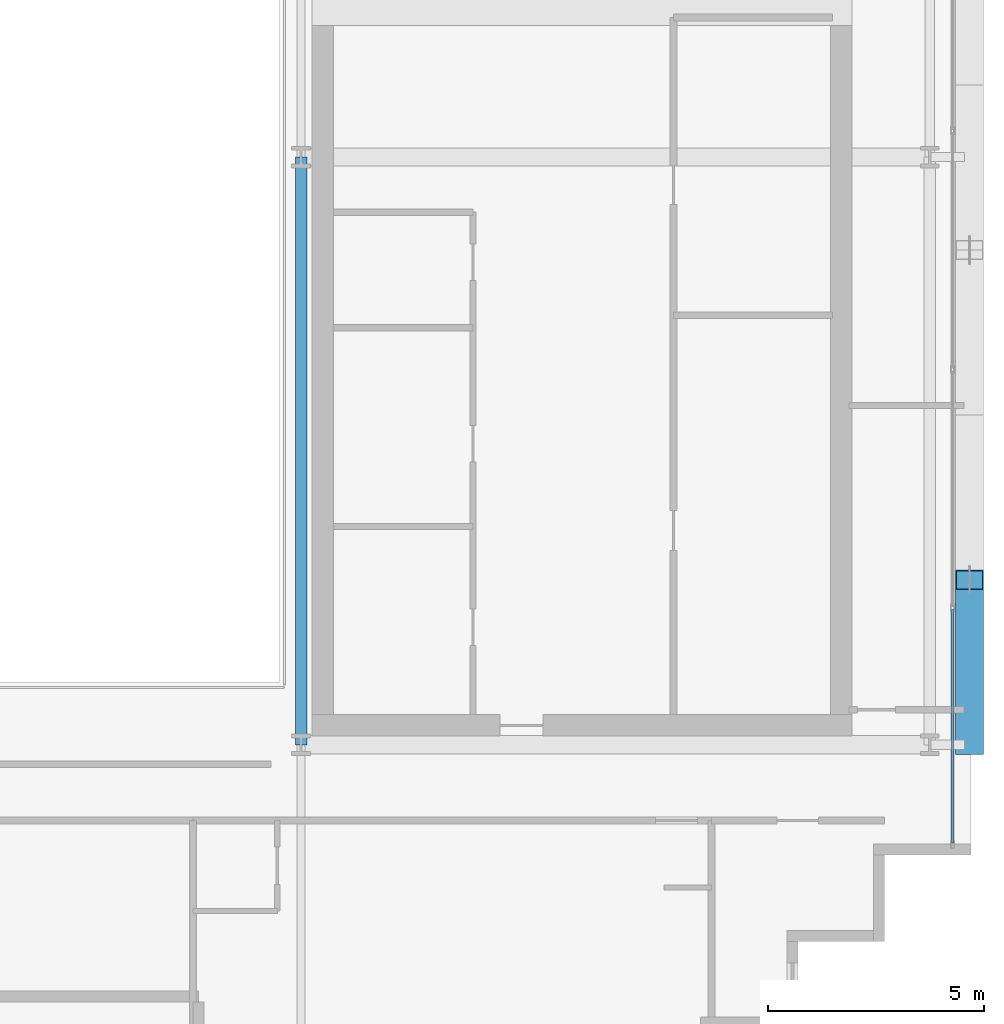
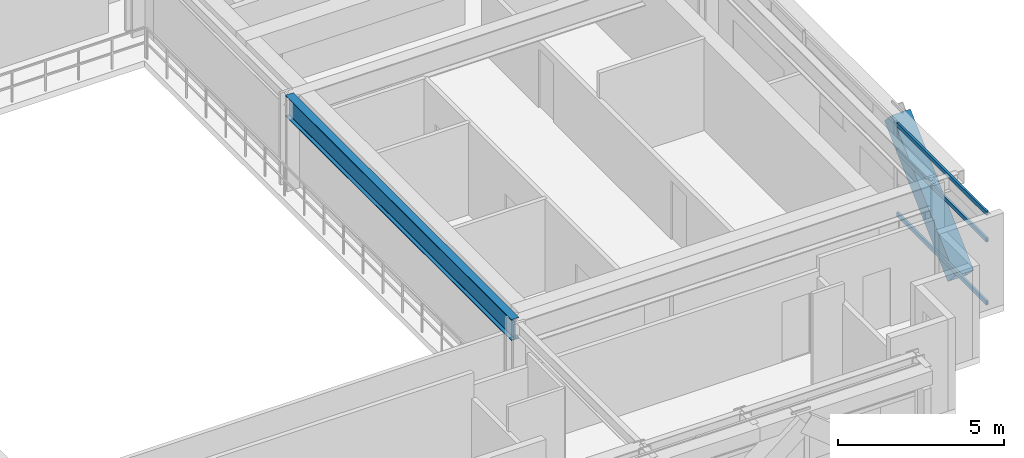
# One storey, part 11 of 30: 4 members, 1 beam, 1 element without a shape of its own.
"""IFC4 building model written with IfcOpenShell, lengths in metres."""

from ifc_helpers import new_model, si_unit, direction, frame, origin, origin_2d, place, context, subcontext, project, spatial, hollow_rectangle, i_section, extrude, source, transform, mapped, material, layer, layer_set, material_profile, profile_set, type_object, element, aggregate, save


model = new_model("IFC4")

# Units and contexts
model_context = context("Model", 3, precision=1e-05, world=origin(), true_north=direction((0.0, 1.0)))
body_context = subcontext(model_context, "Body", "Model", "MODEL_VIEW")
ifc_project = project(units=[si_unit("LENGTHUNIT", "METRE"), si_unit("AREAUNIT", "SQUARE_METRE"), si_unit("VOLUMEUNIT", "CUBIC_METRE"), si_unit("PLANEANGLEUNIT", "RADIAN"), si_unit("MASSUNIT", "GRAM", prefix="KILO")], contexts=[model_context])

# Site, building, storey
site_placement = place(None, origin())
site = spatial("IfcSite", under=ifc_project, at=site_placement, CompositionType="ELEMENT")
building_placement = place(site_placement, origin())
building = spatial("IfcBuilding", under=site, at=building_placement, Name="Ocotamira Hotel", CompositionType="ELEMENT")
storey_placement = place(building_placement, frame((0.0, 0.0, 195.60009765625)))
storey = spatial("IfcBuildingStorey", under=building, at=storey_placement, Name="L49", CompositionType="ELEMENT", Elevation=195.60009765625)

# Beam
ifc_material_1 = material(Name="Steel ASTM A992 Grade 50", Category="steel")
ifc_material_profile_1 = material_profile(ifc_material_1, i_section(OverallWidth=0.26611328125, OverallDepth=0.779052734375, WebThickness=0.0166015625, FlangeThickness=0.030029296875, FilletRadius=0.01806640625, at=origin_2d()), Name="W30X148")
ifc_profile_set_1 = profile_set([ifc_material_profile_1], Name="Steel ASTM A992 Grade 50")
beam_type = type_object("IfcBeamType", Name="BM-GIRD-W30X148", PredefinedType="BEAM", material=ifc_profile_set_1)
shared_shape_1 = source(origin(), body_context, "Body", "SweptSolid", [
    extrude(i_section(OverallWidth=0.26611328125, OverallDepth=0.779052734375, WebThickness=0.0166015625, FlangeThickness=0.030029296875, FilletRadius=0.01806640625, at=origin_2d()), origin(), (0.0, 0.0, 1.0), 13.599853515625),
])
beam_placement = place(storey_placement, frame((40.5, 14.550048828125, 2.98046875), z_axis=(0.0, 1.0, 0.0), x_axis=(-1.0, 0.0, 0.0)))
element("IfcBeam", 1, at=beam_placement, inside=storey, type_object=beam_type, Name="L49 Beam X40.5 Y14.55-28.15", PredefinedType="BEAM", context=body_context, shape_type="MappedRepresentation", body=[
    mapped(shared_shape_1, transform((0.0, 0.0, 0.0), scale=1.0)),
])

# Member
ifc_material_2 = material(Name="Pale-metal coated steel ASTM A913 Grade 65", Category="steel")
ifc_material_profile_2 = material_profile(ifc_material_2, hollow_rectangle(XDim=0.64990234375, YDim=0.64990234375, WallThickness=0.02197265625, at=origin_2d()), Name="BOX650X650X22")
ifc_profile_set_2 = profile_set([ifc_material_profile_2], Name="Pale-metal coated steel ASTM A913 Grade 65")
member_type_1 = type_object("IfcMemberType", Name="MEM-EXO-BOX650", PredefinedType="BRACE", material=ifc_profile_set_2)
shared_shape_2 = source(origin(), body_context, "Body", "SweptSolid", [
    extrude(hollow_rectangle(XDim=0.64990234375, YDim=0.64990234375, WallThickness=0.02197265625, at=origin_2d()), origin(), (0.0, 0.0, 1.0), 5.24658203125),
])
member_1_placement = place(storey_placement, frame((55.969970703125, 14.550048828125, -0.47998046875), z_axis=(0.0, 0.72746596067, 0.686143772154), x_axis=(-1.0, 0.0, 0.0)))
element("IfcMember", 2, at=member_1_placement, inside=storey, type_object=member_type_1, Name="L49 Exoskeleton Diagrid E0.1", PredefinedType="BRACE", context=body_context, shape_type="MappedRepresentation", body=[
    mapped(shared_shape_2, transform((0.0, 0.0, 0.0), scale=1.0)),
])

# Curtain wall, members
ifc_material_3 = material(Name="Anodised pale-metal aluminium and solar glass", Category="aluminium")
ifc_layer = layer(ifc_material_3, 0.199951171875)
ifc_layer_set = layer_set([ifc_layer], Name="Anodised pale-metal aluminium and solar glass")
curtain_wall_type = type_object("IfcCurtainWallType", Name="CW-SYS4-Z3", PredefinedType="NOTDEFINED", material=ifc_layer_set)
curtain_wall_placement = place(storey_placement, origin())
curtain_wall = element("IfcCurtainWall", 3, at=curtain_wall_placement, inside=storey, type_object=curtain_wall_type, Name="L49 Curtain Wall CW-4 CW-L49-E", PredefinedType="NOTDEFINED")
ifc_material_4 = material(Name="Anodised pale-metal aluminium 6063-T6", Category="aluminium")
ifc_material_profile_3 = material_profile(ifc_material_4, hollow_rectangle(XDim=0.074951171875, YDim=0.14990234375, WallThickness=0.006103515625, at=origin_2d()), Name="HSS150X75X6")
ifc_profile_set_3 = profile_set([ifc_material_profile_3], Name="Anodised pale-metal aluminium 6063-T6")
member_type_2 = type_object("IfcMemberType", Name="CWT-150X75", PredefinedType="USERDEFINED", material=ifc_profile_set_3)
shared_shape_3 = source(origin(), body_context, "Body", "SweptSolid", [
    extrude(hollow_rectangle(XDim=0.074951171875, YDim=0.14990234375, WallThickness=0.006103515625, at=origin_2d()), origin(), (0.0, 0.0, 1.0), 5.39990234375),
])
member_2_placement = place(storey_placement, frame((55.580078125, 12.280029296875, 0.037353515625), z_axis=(0.0, 1.0, 0.0), x_axis=(-1.0, 0.0, 0.0)))
member_2 = element("IfcMember", 4, at=member_2_placement, type_object=member_type_2, Name="CW-4 transom 1.1", ObjectType="TRANSOM", PredefinedType="USERDEFINED", context=body_context, shape_type="MappedRepresentation", body=[
    mapped(shared_shape_3, transform((0.0, 0.0, 0.0), scale=1.0)),
])
member_3_placement = place(storey_placement, frame((55.580078125, 12.280029296875, 2.349853515625), z_axis=(0.0, 1.0, 0.0), x_axis=(-1.0, 0.0, 0.0)))
member_3 = element("IfcMember", 5, at=member_3_placement, type_object=member_type_2, Name="CW-4 transom 1.2", ObjectType="TRANSOM", PredefinedType="USERDEFINED", context=body_context, shape_type="MappedRepresentation", body=[
    mapped(shared_shape_3, transform((0.0, 0.0, 0.0), scale=1.0)),
])
member_4_placement = place(storey_placement, frame((55.580078125, 12.280029296875, 3.33251953125), z_axis=(0.0, 1.0, 0.0), x_axis=(-1.0, 0.0, 0.0)))
member_4 = element("IfcMember", 6, at=member_4_placement, type_object=member_type_2, Name="CW-4 transom 1.3", ObjectType="TRANSOM", PredefinedType="USERDEFINED", context=body_context, shape_type="MappedRepresentation", body=[
    mapped(shared_shape_3, transform((0.0, 0.0, 0.0), scale=1.0)),
])
aggregate(curtain_wall, [member_2, member_3, member_4])

save(model, "model.ifc")
